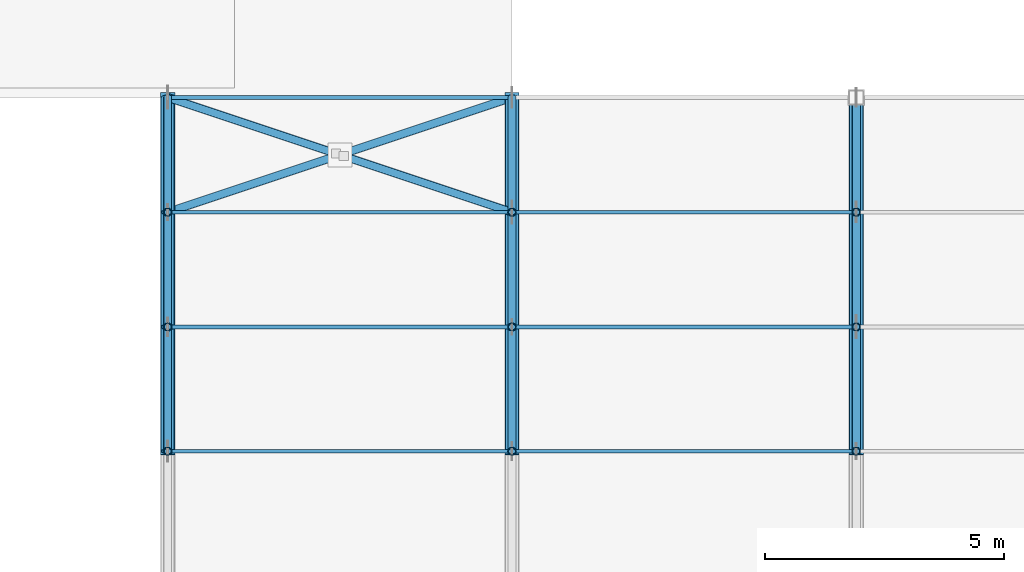
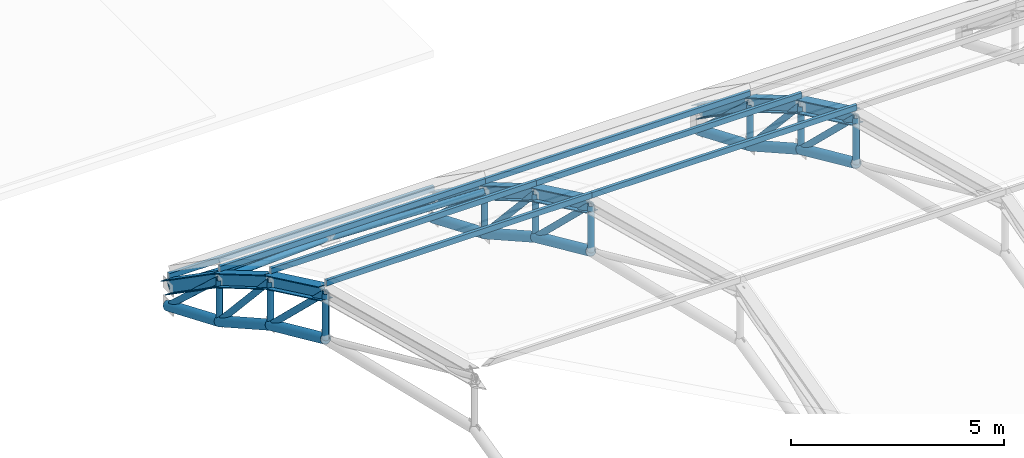
# One storey, part 28 of 63: 37 members, 9 beams.
"""IFC4 building model written with IfcOpenShell, lengths in metres."""

from ifc_helpers import new_model, si_unit, direction, frame, origin, origin_2d, place, context, subcontext, project, spatial, hollow_rectangle, hollow_circle, i_section, extrude, material, material_profile, profile_set, type_object, element, save


model = new_model("IFC4")

# Units and contexts
model_context = context("Model", 3, precision=1e-05, world=origin(), true_north=direction((0.0, 1.0)))
body_context = subcontext(model_context, "Body", "Model", "MODEL_VIEW")
ifc_project = project(units=[si_unit("LENGTHUNIT", "METRE"), si_unit("AREAUNIT", "SQUARE_METRE"), si_unit("VOLUMEUNIT", "CUBIC_METRE"), si_unit("PLANEANGLEUNIT", "RADIAN"), si_unit("MASSUNIT", "GRAM", prefix="KILO")], contexts=[model_context])

# Site, building, storey
site_placement = place(None, origin())
site = spatial("IfcSite", under=ifc_project, at=site_placement, CompositionType="ELEMENT")
building_placement = place(site_placement, origin())
building = spatial("IfcBuilding", under=site, at=building_placement, Name="Solvadek Multi-Sports Hall", CompositionType="ELEMENT")
storey_placement = place(building_placement, frame((0.0, 0.0, 19.199951171875)))
storey = spatial("IfcBuildingStorey", under=building, at=storey_placement, Name="RF", CompositionType="ELEMENT", Elevation=19.199951171875)

# Members
ifc_material_1 = material(Name="Steel E350 (350 MPa)", Category="steel")
ifc_material_profile_1 = material_profile(ifc_material_1, hollow_circle(Radius=0.084228515625, WallThickness=0.008056640625, at=origin_2d()), Name="CHS 168.3x8")
ifc_profile_set_1 = profile_set([ifc_material_profile_1], Name="Steel E350 (350 MPa)")
member_type_1 = type_object("IfcMemberType", Name="STR-BRC-CHS168", PredefinedType="BRACE", material=ifc_profile_set_1)
member_1_placement = place(storey_placement, frame((21.60009765625, 70.60009765625, -1.26708984375), z_axis=(0.0, 0.0, 1.0), x_axis=(1.0, 0.0, 0.0)))
element("IfcMember", 1, at=member_1_placement, inside=storey, type_object=member_type_1, Name="v4 Truss 1 Web Vertical 5", PredefinedType="BRACE", context=body_context, shape_type="SweptSolid", body=[
    extrude(hollow_circle(Radius=0.084228515625, WallThickness=0.008056640625, at=origin_2d()), origin(), (0.0, 0.0, 1.0), 1.329833984375),
])
member_2_placement = place(storey_placement, frame((21.60009765625, 70.60009765625, 0.062744140625), z_axis=(0.0, 0.720205061985, -0.693761247614), x_axis=(-1.0, 0.0, 0.0)))
element("IfcMember", 2, at=member_2_placement, inside=storey, type_object=member_type_1, Name="v4 Truss 1 Web Diagonal 6", PredefinedType="BRACE", context=body_context, shape_type="SweptSolid", body=[
    extrude(hollow_circle(Radius=0.084228515625, WallThickness=0.008056640625, at=origin_2d()), origin(), (0.0, 0.0, 1.0), 3.60986328125),
])
member_3_placement = place(storey_placement, frame((21.60009765625, 73.199951171875, -2.441650390625), z_axis=(0.0, 0.0, 1.0), x_axis=(1.0, 0.0, 0.0)))
element("IfcMember", 3, at=member_3_placement, inside=storey, type_object=member_type_1, Name="v4 Truss 1 Web Vertical 6", PredefinedType="BRACE", context=body_context, shape_type="SweptSolid", body=[
    extrude(hollow_circle(Radius=0.084228515625, WallThickness=0.008056640625, at=origin_2d()), origin(), (0.0, 0.0, 1.0), 1.2666015625),
])
member_4_placement = place(storey_placement, frame((21.60009765625, 73.199951171875, -1.175048828125), z_axis=(0.0, 0.675818010583, -0.737068529088), x_axis=(-1.0, 0.0, 0.0)))
element("IfcMember", 4, at=member_4_placement, inside=storey, type_object=member_type_1, Name="v4 Truss 1 Web Diagonal 7", PredefinedType="BRACE", context=body_context, shape_type="SweptSolid", body=[
    extrude(hollow_circle(Radius=0.084228515625, WallThickness=0.008056640625, at=origin_2d()), origin(), (0.0, 0.0, 1.0), 3.551513671875),
])
member_5_placement = place(storey_placement, frame((21.60009765625, 75.60009765625, -3.792724609375), z_axis=(0.0, 0.0, 1.0), x_axis=(1.0, 0.0, 0.0)))
element("IfcMember", 5, at=member_5_placement, inside=storey, type_object=member_type_1, Name="v4 Truss 1 Web Vertical 7", PredefinedType="BRACE", context=body_context, shape_type="SweptSolid", body=[
    extrude(hollow_circle(Radius=0.084228515625, WallThickness=0.008056640625, at=origin_2d()), origin(), (0.0, 0.0, 1.0), 1.208251953125),
])
member_6_placement = place(storey_placement, frame((21.60009765625, 75.60009765625, -2.58447265625), z_axis=(0.0, 0.734760457806, -0.678326668829), x_axis=(-1.0, 0.0, 0.0)))
element("IfcMember", 6, at=member_6_placement, inside=storey, type_object=member_type_1, Name="v4 Truss 1 Web Diagonal 8", PredefinedType="BRACE", context=body_context, shape_type="SweptSolid", body=[
    extrude(hollow_circle(Radius=0.084228515625, WallThickness=0.008056640625, at=origin_2d()), origin(), (0.0, 0.0, 1.0), 3.266357421875),
])
member_7_placement = place(storey_placement, frame((28.800048828125, 70.60009765625, -1.26708984375), z_axis=(0.0, 0.0, 1.0), x_axis=(1.0, 0.0, 0.0)))
element("IfcMember", 7, at=member_7_placement, inside=storey, type_object=member_type_1, Name="v4 Truss 2 Web Vertical 5", PredefinedType="BRACE", context=body_context, shape_type="SweptSolid", body=[
    extrude(hollow_circle(Radius=0.084228515625, WallThickness=0.008056640625, at=origin_2d()), origin(), (0.0, 0.0, 1.0), 1.329833984375),
])
member_8_placement = place(storey_placement, frame((28.800048828125, 70.60009765625, 0.062744140625), z_axis=(0.0, 0.720205061985, -0.693761247614), x_axis=(-1.0, 0.0, 0.0)))
element("IfcMember", 8, at=member_8_placement, inside=storey, type_object=member_type_1, Name="v4 Truss 2 Web Diagonal 6", PredefinedType="BRACE", context=body_context, shape_type="SweptSolid", body=[
    extrude(hollow_circle(Radius=0.084228515625, WallThickness=0.008056640625, at=origin_2d()), origin(), (0.0, 0.0, 1.0), 3.60986328125),
])
member_9_placement = place(storey_placement, frame((28.800048828125, 73.199951171875, -2.441650390625), z_axis=(0.0, 0.0, 1.0), x_axis=(1.0, 0.0, 0.0)))
element("IfcMember", 9, at=member_9_placement, inside=storey, type_object=member_type_1, Name="v4 Truss 2 Web Vertical 6", PredefinedType="BRACE", context=body_context, shape_type="SweptSolid", body=[
    extrude(hollow_circle(Radius=0.084228515625, WallThickness=0.008056640625, at=origin_2d()), origin(), (0.0, 0.0, 1.0), 1.2666015625),
])
member_10_placement = place(storey_placement, frame((28.800048828125, 73.199951171875, -1.175048828125), z_axis=(0.0, 0.675818010583, -0.737068529088), x_axis=(-1.0, 0.0, 0.0)))
element("IfcMember", 10, at=member_10_placement, inside=storey, type_object=member_type_1, Name="v4 Truss 2 Web Diagonal 7", PredefinedType="BRACE", context=body_context, shape_type="SweptSolid", body=[
    extrude(hollow_circle(Radius=0.084228515625, WallThickness=0.008056640625, at=origin_2d()), origin(), (0.0, 0.0, 1.0), 3.551513671875),
])
member_11_placement = place(storey_placement, frame((28.800048828125, 75.60009765625, -3.792724609375), z_axis=(0.0, 0.0, 1.0), x_axis=(1.0, 0.0, 0.0)))
element("IfcMember", 11, at=member_11_placement, inside=storey, type_object=member_type_1, Name="v4 Truss 2 Web Vertical 7", PredefinedType="BRACE", context=body_context, shape_type="SweptSolid", body=[
    extrude(hollow_circle(Radius=0.084228515625, WallThickness=0.008056640625, at=origin_2d()), origin(), (0.0, 0.0, 1.0), 1.208251953125),
])
member_12_placement = place(storey_placement, frame((28.800048828125, 75.60009765625, -2.58447265625), z_axis=(0.0, 0.734760457806, -0.678326668829), x_axis=(-1.0, 0.0, 0.0)))
element("IfcMember", 12, at=member_12_placement, inside=storey, type_object=member_type_1, Name="v4 Truss 2 Web Diagonal 8", PredefinedType="BRACE", context=body_context, shape_type="SweptSolid", body=[
    extrude(hollow_circle(Radius=0.084228515625, WallThickness=0.008056640625, at=origin_2d()), origin(), (0.0, 0.0, 1.0), 3.266357421875),
])
member_13_placement = place(storey_placement, frame((36.0, 70.60009765625, -1.26708984375), z_axis=(0.0, 0.0, 1.0), x_axis=(1.0, 0.0, 0.0)))
element("IfcMember", 13, at=member_13_placement, inside=storey, type_object=member_type_1, Name="v4 Truss 3 Web Vertical 5", PredefinedType="BRACE", context=body_context, shape_type="SweptSolid", body=[
    extrude(hollow_circle(Radius=0.084228515625, WallThickness=0.008056640625, at=origin_2d()), origin(), (0.0, 0.0, 1.0), 1.329833984375),
])
member_14_placement = place(storey_placement, frame((36.0, 70.60009765625, 0.062744140625), z_axis=(0.0, 0.720205061985, -0.693761247614), x_axis=(-1.0, 0.0, 0.0)))
element("IfcMember", 14, at=member_14_placement, inside=storey, type_object=member_type_1, Name="v4 Truss 3 Web Diagonal 6", PredefinedType="BRACE", context=body_context, shape_type="SweptSolid", body=[
    extrude(hollow_circle(Radius=0.084228515625, WallThickness=0.008056640625, at=origin_2d()), origin(), (0.0, 0.0, 1.0), 3.60986328125),
])
member_15_placement = place(storey_placement, frame((36.0, 73.199951171875, -2.441650390625), z_axis=(0.0, 0.0, 1.0), x_axis=(1.0, 0.0, 0.0)))
element("IfcMember", 15, at=member_15_placement, inside=storey, type_object=member_type_1, Name="v4 Truss 3 Web Vertical 6", PredefinedType="BRACE", context=body_context, shape_type="SweptSolid", body=[
    extrude(hollow_circle(Radius=0.084228515625, WallThickness=0.008056640625, at=origin_2d()), origin(), (0.0, 0.0, 1.0), 1.2666015625),
])
member_16_placement = place(storey_placement, frame((36.0, 73.199951171875, -1.175048828125), z_axis=(0.0, 0.675818010583, -0.737068529088), x_axis=(-1.0, 0.0, 0.0)))
element("IfcMember", 16, at=member_16_placement, inside=storey, type_object=member_type_1, Name="v4 Truss 3 Web Diagonal 7", PredefinedType="BRACE", context=body_context, shape_type="SweptSolid", body=[
    extrude(hollow_circle(Radius=0.084228515625, WallThickness=0.008056640625, at=origin_2d()), origin(), (0.0, 0.0, 1.0), 3.551513671875),
])
member_17_placement = place(storey_placement, frame((36.0, 75.60009765625, -3.792724609375), z_axis=(0.0, 0.0, 1.0), x_axis=(1.0, 0.0, 0.0)))
element("IfcMember", 17, at=member_17_placement, inside=storey, type_object=member_type_1, Name="v4 Truss 3 Web Vertical 7", PredefinedType="BRACE", context=body_context, shape_type="SweptSolid", body=[
    extrude(hollow_circle(Radius=0.084228515625, WallThickness=0.008056640625, at=origin_2d()), origin(), (0.0, 0.0, 1.0), 1.208251953125),
])
member_18_placement = place(storey_placement, frame((36.0, 75.60009765625, -2.58447265625), z_axis=(0.0, 0.734760457806, -0.678326668829), x_axis=(-1.0, 0.0, 0.0)))
element("IfcMember", 18, at=member_18_placement, inside=storey, type_object=member_type_1, Name="v4 Truss 3 Web Diagonal 8", PredefinedType="BRACE", context=body_context, shape_type="SweptSolid", body=[
    extrude(hollow_circle(Radius=0.084228515625, WallThickness=0.008056640625, at=origin_2d()), origin(), (0.0, 0.0, 1.0), 3.266357421875),
])
member_19_placement = place(storey_placement, frame((21.60009765625, 75.60009765625, -2.58447265625), z_axis=(0.926635337209, 0.308867972085, -0.214353744208), x_axis=(-0.316218115397, 0.948686514869, 0.0)))
element("IfcMember", 19, at=member_19_placement, inside=storey, type_object=member_type_1, Name="V4 Roof Plan Brace #15", PredefinedType="BRACE", context=body_context, shape_type="SweptSolid", body=[
    extrude(hollow_circle(Radius=0.084228515625, WallThickness=0.008056640625, at=origin_2d()), origin(), (0.0, 0.0, 1.0), 7.77001953125),
])
for number, where, z_axis, x_axis, name in (
    (20, (21.60009765625, 78.0, -4.25), (0.926615355415, -0.308893240528, 0.214403705813), (0.316247535538, 0.948676707981, 0.0), "V4 Roof Plan Half-Brace #16A"),
    (21, (25.285400390625, 76.771484375, -3.3974609375), (0.926646563984, -0.308839275771, 0.214346558632), (0.316188225739, 0.948696477228, 0.0), "V4 Roof Plan Half-Brace #16B"),
):
    element("IfcMember", number, at=place(storey_placement, frame(where, z_axis=z_axis, x_axis=x_axis)), inside=storey, type_object=member_type_1, Name=name, PredefinedType="BRACE", context=body_context, shape_type="SweptSolid", body=[
        extrude(hollow_circle(Radius=0.084228515625, WallThickness=0.008056640625, at=origin_2d()), origin(), (0.0, 0.0, 1.0), 3.79296875),
    ])
ifc_material_profile_2 = material_profile(ifc_material_1, hollow_circle(Radius=0.136474609375, WallThickness=0.011962890625, at=origin_2d()), Name="CHS 273.0x12")
ifc_profile_set_2 = profile_set([ifc_material_profile_2], Name="Steel E350 (350 MPa)")
member_type_2 = type_object("IfcMemberType", Name="STR-CHD-CHS273", PredefinedType="CHORD", material=ifc_profile_set_2)
member_20_placement = place(storey_placement, frame((21.60009765625, 70.60009765625, -1.26708984375), z_axis=(0.0, 0.911313637959, -0.411712828643), x_axis=(-1.0, 0.0, 0.0)))
element("IfcMember", 22, at=member_20_placement, inside=storey, type_object=member_type_2, Name="v4 Arched Truss 1 Bottom Chord 6", PredefinedType="CHORD", context=body_context, shape_type="SweptSolid", body=[
    extrude(hollow_circle(Radius=0.136474609375, WallThickness=0.011962890625, at=origin_2d()), origin(), (0.0, 0.0, 1.0), 2.852783203125),
])
member_21_placement = place(storey_placement, frame((21.60009765625, 73.199951171875, -2.441650390625), z_axis=(0.0, 0.871421623259, -0.49053476382), x_axis=(-1.0, 0.0, 0.0)))
element("IfcMember", 23, at=member_21_placement, inside=storey, type_object=member_type_2, Name="v4 Arched Truss 1 Bottom Chord 7", PredefinedType="CHORD", context=body_context, shape_type="SweptSolid", body=[
    extrude(hollow_circle(Radius=0.136474609375, WallThickness=0.011962890625, at=origin_2d()), origin(), (0.0, 0.0, 1.0), 2.75439453125),
])
member_22_placement = place(storey_placement, frame((21.60009765625, 75.60009765625, -3.792724609375), z_axis=(0.0, 0.922069154115, -0.38702516072), x_axis=(-1.0, 0.0, 0.0)))
element("IfcMember", 24, at=member_22_placement, inside=storey, type_object=member_type_2, Name="v4 Arched Truss 1 Bottom Chord 8", PredefinedType="CHORD", context=body_context, shape_type="SweptSolid", body=[
    extrude(hollow_circle(Radius=0.136474609375, WallThickness=0.011962890625, at=origin_2d()), origin(), (0.0, 0.0, 1.0), 2.602783203125),
])
member_23_placement = place(storey_placement, frame((28.800048828125, 70.60009765625, -1.26708984375), z_axis=(0.0, 0.911313637959, -0.411712828643), x_axis=(-1.0, 0.0, 0.0)))
element("IfcMember", 25, at=member_23_placement, inside=storey, type_object=member_type_2, Name="v4 Arched Truss 2 Bottom Chord 6", PredefinedType="CHORD", context=body_context, shape_type="SweptSolid", body=[
    extrude(hollow_circle(Radius=0.136474609375, WallThickness=0.011962890625, at=origin_2d()), origin(), (0.0, 0.0, 1.0), 2.852783203125),
])
member_24_placement = place(storey_placement, frame((28.800048828125, 73.199951171875, -2.441650390625), z_axis=(0.0, 0.871421623259, -0.49053476382), x_axis=(-1.0, 0.0, 0.0)))
element("IfcMember", 26, at=member_24_placement, inside=storey, type_object=member_type_2, Name="v4 Arched Truss 2 Bottom Chord 7", PredefinedType="CHORD", context=body_context, shape_type="SweptSolid", body=[
    extrude(hollow_circle(Radius=0.136474609375, WallThickness=0.011962890625, at=origin_2d()), origin(), (0.0, 0.0, 1.0), 2.75439453125),
])
member_25_placement = place(storey_placement, frame((28.800048828125, 75.60009765625, -3.792724609375), z_axis=(0.0, 0.922069154115, -0.38702516072), x_axis=(-1.0, 0.0, 0.0)))
element("IfcMember", 27, at=member_25_placement, inside=storey, type_object=member_type_2, Name="v4 Arched Truss 2 Bottom Chord 8", PredefinedType="CHORD", context=body_context, shape_type="SweptSolid", body=[
    extrude(hollow_circle(Radius=0.136474609375, WallThickness=0.011962890625, at=origin_2d()), origin(), (0.0, 0.0, 1.0), 2.602783203125),
])
member_26_placement = place(storey_placement, frame((36.0, 70.60009765625, -1.26708984375), z_axis=(0.0, 0.911313637959, -0.411712828643), x_axis=(-1.0, 0.0, 0.0)))
element("IfcMember", 28, at=member_26_placement, inside=storey, type_object=member_type_2, Name="v4 Arched Truss 3 Bottom Chord 6", PredefinedType="CHORD", context=body_context, shape_type="SweptSolid", body=[
    extrude(hollow_circle(Radius=0.136474609375, WallThickness=0.011962890625, at=origin_2d()), origin(), (0.0, 0.0, 1.0), 2.852783203125),
])
member_27_placement = place(storey_placement, frame((36.0, 73.199951171875, -2.441650390625), z_axis=(0.0, 0.871421623259, -0.49053476382), x_axis=(-1.0, 0.0, 0.0)))
element("IfcMember", 29, at=member_27_placement, inside=storey, type_object=member_type_2, Name="v4 Arched Truss 3 Bottom Chord 7", PredefinedType="CHORD", context=body_context, shape_type="SweptSolid", body=[
    extrude(hollow_circle(Radius=0.136474609375, WallThickness=0.011962890625, at=origin_2d()), origin(), (0.0, 0.0, 1.0), 2.75439453125),
])
member_28_placement = place(storey_placement, frame((36.0, 75.60009765625, -3.792724609375), z_axis=(0.0, 0.922069154115, -0.38702516072), x_axis=(-1.0, 0.0, 0.0)))
element("IfcMember", 30, at=member_28_placement, inside=storey, type_object=member_type_2, Name="v4 Arched Truss 3 Bottom Chord 8", PredefinedType="CHORD", context=body_context, shape_type="SweptSolid", body=[
    extrude(hollow_circle(Radius=0.136474609375, WallThickness=0.011962890625, at=origin_2d()), origin(), (0.0, 0.0, 1.0), 2.602783203125),
])
ifc_material_2 = material(Name="Steel E250 (250 MPa)", Category="steel")
ifc_material_profile_3 = material_profile(ifc_material_2, hollow_rectangle(XDim=0.080078125, YDim=0.159912109375, WallThickness=0.006103515625, at=origin_2d()), Name="RHS 160x80x6")
ifc_profile_set_3 = profile_set([ifc_material_profile_3], Name="Steel E250 (250 MPa)")
member_type_3 = type_object("IfcMemberType", Name="STR-PUR-RHS160", PredefinedType="PURLIN", material=ifc_profile_set_3)
for number, where, z_axis, x_axis, name in (
    (31, (21.60009765625, 70.60009765625, 0.34619140625), (1.0, 0.0, 0.0), (0.0, 1.0, 0.0), "V4 Roof Purlin #69"),
    (32, (21.60009765625, 73.199951171875, -0.88232421875), (1.0, 0.0, 0.0), (0.0, 1.0, 0.0), "V4 Roof Purlin #70"),
    (33, (21.60009765625, 75.60009765625, -2.28125), (1.0, 0.0, 0.0), (0.0, 1.0, 0.0), "V4 Roof Purlin #71"),
    (34, (21.60009765625, 78.0, -3.94677734375), (1.0, 0.0, 0.0), (0.0, 1.0, 0.0), "V4 Roof Purlin #72"),
    (35, (28.800048828125, 70.60009765625, 0.34619140625), (1.0, 0.0, 0.0), (0.0, 1.0, 0.0), "V4 Roof Purlin #78"),
    (36, (28.800048828125, 73.199951171875, -0.88232421875), (1.0, 0.0, 0.0), (0.0, 1.0, 0.0), "V4 Roof Purlin #79"),
    (37, (28.800048828125, 75.60009765625, -2.28125), (1.0, 0.0, 0.0), (0.0, 1.0, 0.0), "V4 Roof Purlin #80"),
):
    element("IfcMember", number, at=place(storey_placement, frame(where, z_axis=z_axis, x_axis=x_axis)), inside=storey, type_object=member_type_3, Name=name, PredefinedType="PURLIN", context=body_context, shape_type="SweptSolid", body=[
        extrude(hollow_rectangle(XDim=0.080078125, YDim=0.159912109375, WallThickness=0.006103515625, at=origin_2d()), origin(), (0.0, 0.0, 1.0), 7.199951171875),
    ])

# Beams
ifc_material_profile_4 = material_profile(ifc_material_1, i_section(OverallWidth=0.300048828125, OverallDepth=0.360107421875, WebThickness=0.012451171875, FlangeThickness=0.0224609375, at=origin_2d()), Name="WPB 360")
ifc_profile_set_4 = profile_set([ifc_material_profile_4], Name="Steel E350 (350 MPa)")
beam_type = type_object("IfcBeamType", Name="STR-TRS-WPB360", PredefinedType="USERDEFINED", material=ifc_profile_set_4)
beam_1_placement = place(storey_placement, frame((21.60009765625, 70.60009765625, 0.062744140625), z_axis=(0.0, 0.902891860801, -0.429867756058), x_axis=(-1.0, 0.0, 0.0)))
element("IfcBeam", 38, at=beam_1_placement, inside=storey, type_object=beam_type, Name="v4 Arched Truss 1 Top Chord 6", ObjectType="ROOF TRUSS", PredefinedType="USERDEFINED", context=body_context, shape_type="SweptSolid", body=[
    extrude(i_section(OverallWidth=0.300048828125, OverallDepth=0.360107421875, WebThickness=0.012451171875, FlangeThickness=0.0224609375, at=origin_2d()), origin(), (0.0, 0.0, 1.0), 2.87939453125),
])
beam_2_placement = place(storey_placement, frame((21.60009765625, 73.199951171875, -1.175048828125), z_axis=(0.0, 0.862315042245, -0.506372163451), x_axis=(-1.0, 0.0, 0.0)))
element("IfcBeam", 39, at=beam_2_placement, inside=storey, type_object=beam_type, Name="v4 Arched Truss 1 Top Chord 7", ObjectType="ROOF TRUSS", PredefinedType="USERDEFINED", context=body_context, shape_type="SweptSolid", body=[
    extrude(i_section(OverallWidth=0.300048828125, OverallDepth=0.360107421875, WebThickness=0.012451171875, FlangeThickness=0.0224609375, at=origin_2d()), origin(), (0.0, 0.0, 1.0), 2.783447265625),
])
beam_3_placement = place(storey_placement, frame((21.60009765625, 75.60009765625, -2.58447265625), z_axis=(0.0, 0.821541776943, -0.5701483217), x_axis=(-1.0, 0.0, 0.0)))
element("IfcBeam", 40, at=beam_3_placement, inside=storey, type_object=beam_type, Name="v4 Arched Truss 1 Top Chord 8", ObjectType="ROOF TRUSS", PredefinedType="USERDEFINED", context=body_context, shape_type="SweptSolid", body=[
    extrude(i_section(OverallWidth=0.300048828125, OverallDepth=0.360107421875, WebThickness=0.012451171875, FlangeThickness=0.0224609375, at=origin_2d()), origin(), (0.0, 0.0, 1.0), 2.921142578125),
])
beam_4_placement = place(storey_placement, frame((28.800048828125, 70.60009765625, 0.062744140625), z_axis=(0.0, 0.902891860801, -0.429867756058), x_axis=(-1.0, 0.0, 0.0)))
element("IfcBeam", 41, at=beam_4_placement, inside=storey, type_object=beam_type, Name="v4 Arched Truss 2 Top Chord 6", ObjectType="ROOF TRUSS", PredefinedType="USERDEFINED", context=body_context, shape_type="SweptSolid", body=[
    extrude(i_section(OverallWidth=0.300048828125, OverallDepth=0.360107421875, WebThickness=0.012451171875, FlangeThickness=0.0224609375, at=origin_2d()), origin(), (0.0, 0.0, 1.0), 2.87939453125),
])
beam_5_placement = place(storey_placement, frame((28.800048828125, 73.199951171875, -1.175048828125), z_axis=(0.0, 0.862315042245, -0.506372163451), x_axis=(-1.0, 0.0, 0.0)))
element("IfcBeam", 42, at=beam_5_placement, inside=storey, type_object=beam_type, Name="v4 Arched Truss 2 Top Chord 7", ObjectType="ROOF TRUSS", PredefinedType="USERDEFINED", context=body_context, shape_type="SweptSolid", body=[
    extrude(i_section(OverallWidth=0.300048828125, OverallDepth=0.360107421875, WebThickness=0.012451171875, FlangeThickness=0.0224609375, at=origin_2d()), origin(), (0.0, 0.0, 1.0), 2.783447265625),
])
beam_6_placement = place(storey_placement, frame((28.800048828125, 75.60009765625, -2.58447265625), z_axis=(0.0, 0.821541776943, -0.5701483217), x_axis=(-1.0, 0.0, 0.0)))
element("IfcBeam", 43, at=beam_6_placement, inside=storey, type_object=beam_type, Name="v4 Arched Truss 2 Top Chord 8", ObjectType="ROOF TRUSS", PredefinedType="USERDEFINED", context=body_context, shape_type="SweptSolid", body=[
    extrude(i_section(OverallWidth=0.300048828125, OverallDepth=0.360107421875, WebThickness=0.012451171875, FlangeThickness=0.0224609375, at=origin_2d()), origin(), (0.0, 0.0, 1.0), 2.921142578125),
])
beam_7_placement = place(storey_placement, frame((36.0, 70.60009765625, 0.062744140625), z_axis=(0.0, 0.902891860801, -0.429867756058), x_axis=(-1.0, 0.0, 0.0)))
element("IfcBeam", 44, at=beam_7_placement, inside=storey, type_object=beam_type, Name="v4 Arched Truss 3 Top Chord 6", ObjectType="ROOF TRUSS", PredefinedType="USERDEFINED", context=body_context, shape_type="SweptSolid", body=[
    extrude(i_section(OverallWidth=0.300048828125, OverallDepth=0.360107421875, WebThickness=0.012451171875, FlangeThickness=0.0224609375, at=origin_2d()), origin(), (0.0, 0.0, 1.0), 2.87939453125),
])
beam_8_placement = place(storey_placement, frame((36.0, 73.199951171875, -1.175048828125), z_axis=(0.0, 0.862315042245, -0.506372163451), x_axis=(-1.0, 0.0, 0.0)))
element("IfcBeam", 45, at=beam_8_placement, inside=storey, type_object=beam_type, Name="v4 Arched Truss 3 Top Chord 7", ObjectType="ROOF TRUSS", PredefinedType="USERDEFINED", context=body_context, shape_type="SweptSolid", body=[
    extrude(i_section(OverallWidth=0.300048828125, OverallDepth=0.360107421875, WebThickness=0.012451171875, FlangeThickness=0.0224609375, at=origin_2d()), origin(), (0.0, 0.0, 1.0), 2.783447265625),
])
beam_9_placement = place(storey_placement, frame((36.0, 75.60009765625, -2.58447265625), z_axis=(0.0, 0.821541776943, -0.5701483217), x_axis=(-1.0, 0.0, 0.0)))
element("IfcBeam", 46, at=beam_9_placement, inside=storey, type_object=beam_type, Name="v4 Arched Truss 3 Top Chord 8", ObjectType="ROOF TRUSS", PredefinedType="USERDEFINED", context=body_context, shape_type="SweptSolid", body=[
    extrude(i_section(OverallWidth=0.300048828125, OverallDepth=0.360107421875, WebThickness=0.012451171875, FlangeThickness=0.0224609375, at=origin_2d()), origin(), (0.0, 0.0, 1.0), 2.921142578125),
])

save(model, "model.ifc")
